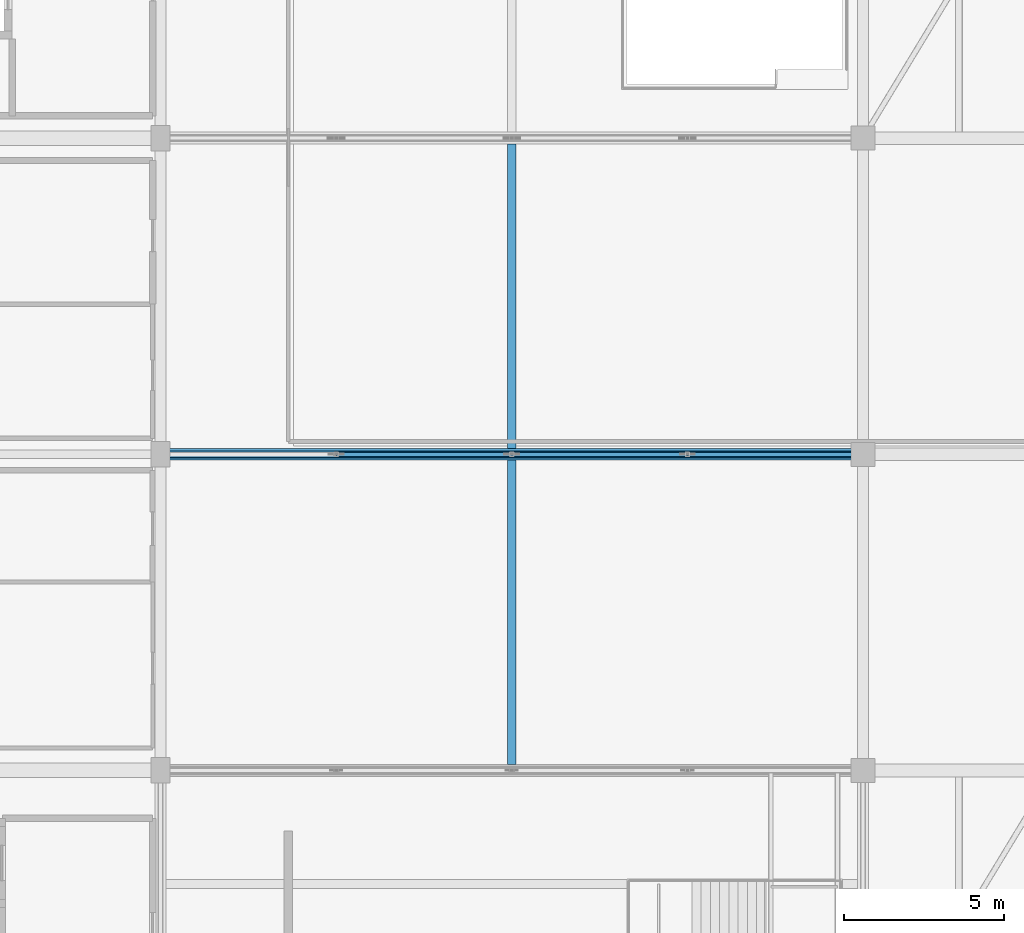
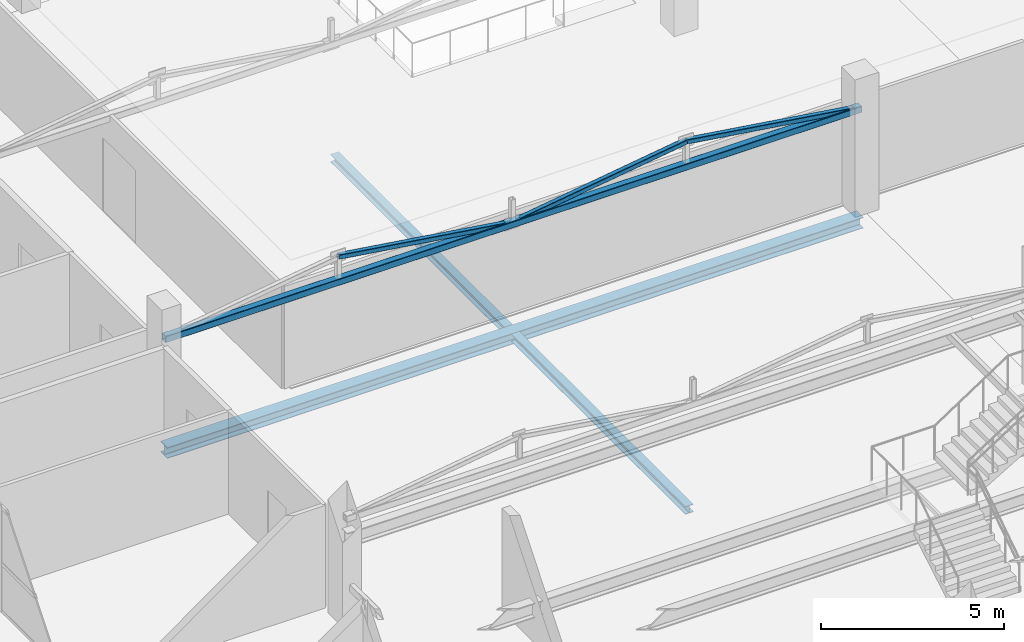
# One storey, part 21 of 55: 4 members, 3 beams.
"""IFC4 building model written with IfcOpenShell, lengths in metres."""

from ifc_helpers import new_model, si_unit, direction, frame, origin, origin_2d, place, context, subcontext, project, spatial, hollow_rectangle, i_section, extrude, material, material_profile, profile_set, type_object, element, save


model = new_model("IFC4")

# Units and contexts
model_context = context("Model", 3, precision=1e-05, world=origin(), true_north=direction((0.0, 1.0)))
body_context = subcontext(model_context, "Body", "Model", "MODEL_VIEW")
ifc_project = project(units=[si_unit("LENGTHUNIT", "METRE"), si_unit("AREAUNIT", "SQUARE_METRE"), si_unit("VOLUMEUNIT", "CUBIC_METRE"), si_unit("PLANEANGLEUNIT", "RADIAN"), si_unit("MASSUNIT", "GRAM", prefix="KILO")], contexts=[model_context])

# Site, building, storey
site_placement = place(None, origin())
site = spatial("IfcSite", under=ifc_project, at=site_placement, CompositionType="ELEMENT")
building_placement = place(site_placement, origin())
building = spatial("IfcBuilding", under=site, at=building_placement, Name="Sillaruma Civic Art Gallery", CompositionType="ELEMENT")
storey_placement = place(building_placement, frame((0.0, 0.0, 37.739990234375)))
storey = spatial("IfcBuildingStorey", under=building, at=storey_placement, Name="L07", CompositionType="ELEMENT", Elevation=37.739990234375)

# Beams
ifc_material_1 = material(Name="Structural Steel ASTM A992 Gr.50", Category="steel")
ifc_material_profile_1 = material_profile(ifc_material_1, i_section(OverallWidth=0.256103515625, OverallDepth=0.260009765625, WebThickness=0.0107421875, FlangeThickness=0.017333984375, FilletRadius=0.012939453125, at=origin_2d()), Name="W250x89")
ifc_profile_set_1 = profile_set([ifc_material_profile_1], Name="Structural Steel ASTM A992 Gr.50")
beam_type_1 = type_object("IfcBeamType", Name="BM-JOIST-W250x89", PredefinedType="JOIST", material=ifc_profile_set_1)
for number, where, z_axis, x_axis, name in (
    (1, (81.0, 49.685546875, -0.369873046875), (0.0, 1.0, 0.0), (-1.0, 0.0, 0.0), "Long-Span Gallery Joist JS-04 (L06:6-7)"),
    (2, (81.0, 59.58544921875, -0.369873046875), (0.0, 1.0, 0.0), (-1.0, 0.0, 0.0), "Long-Span Gallery Joist JS-04 (L06:7-8)"),
):
    element("IfcBeam", number, at=place(storey_placement, frame(where, z_axis=z_axis, x_axis=x_axis)), inside=storey, type_object=beam_type_1, Name=name, PredefinedType="JOIST", context=body_context, shape_type="SweptSolid", body=[
        extrude(i_section(OverallWidth=0.256103515625, OverallDepth=0.260009765625, WebThickness=0.0107421875, FlangeThickness=0.017333984375, FilletRadius=0.012939453125, at=origin_2d()), origin(), (0.0, 0.0, 1.0), 9.529052734375),
    ])
ifc_material_profile_2 = material_profile(ifc_material_1, i_section(OverallWidth=0.37109375, OverallDepth=0.364013671875, WebThickness=0.01318359375, FlangeThickness=0.021728515625, FilletRadius=0.014892578125, at=origin_2d()), Name="W360x162")
ifc_profile_set_2 = profile_set([ifc_material_profile_2], Name="Structural Steel ASTM A992 Gr.50")
beam_type_2 = type_object("IfcBeamType", Name="BM-TRTOP-W360x162", PredefinedType="BEAM", material=ifc_profile_set_2)
beam_placement = place(storey_placement, frame((70.0, 59.39990234375, -0.421875), z_axis=(1.0, 0.0, 0.0), x_axis=(0.0, 1.0, 0.0)))
element("IfcBeam", 3, at=beam_placement, inside=storey, type_object=beam_type_2, Name="Warren Truss Top Chord TR-L06-2", PredefinedType="BEAM", context=body_context, shape_type="SweptSolid", body=[
    extrude(i_section(OverallWidth=0.37109375, OverallDepth=0.364013671875, WebThickness=0.01318359375, FlangeThickness=0.021728515625, FilletRadius=0.014892578125, at=origin_2d()), origin(), (0.0, 0.0, 1.0), 22.0),
])

# Members
ifc_material_2 = material(Name="Structural Steel ASTM A500 Gr.C", Category="steel")
ifc_material_profile_3 = material_profile(ifc_material_2, hollow_rectangle(XDim=0.14990234375, YDim=0.14990234375, WallThickness=0.010009765625, InnerFilletRadius=0.010009765625, OuterFilletRadius=0.02001953125, at=origin_2d()), Name="HSS150x150x10")
ifc_profile_set_3 = profile_set([ifc_material_profile_3], Name="Structural Steel ASTM A500 Gr.C")
member_type_1 = type_object("IfcMemberType", Name="MEM-BRACE-HSS150x150x10", PredefinedType="BRACE", material=ifc_profile_set_3)
for number, where, z_axis, x_axis, name in (
    (4, (75.5, 59.39990234375, 4.1279296875), (0.989384036218, 0.0, -0.145324563914), (0.0, 1.0, 0.0), "Warren Truss Diagonal TR-L07-2-D2"),
    (5, (81.0, 59.39990234375, 3.320068359375), (0.989384036218, 0.0, 0.145324563914), (0.0, 1.0, 0.0), "Warren Truss Diagonal TR-L07-2-D3"),
    (6, (86.5, 59.39990234375, 4.1279296875), (0.989384036218, 0.0, -0.145324563914), (0.0, 1.0, 0.0), "Warren Truss Diagonal TR-L07-2-D4"),
):
    element("IfcMember", number, at=place(storey_placement, frame(where, z_axis=z_axis, x_axis=x_axis)), inside=storey, type_object=member_type_1, Name=name, PredefinedType="BRACE", context=body_context, shape_type="SweptSolid", body=[
        extrude(hollow_rectangle(XDim=0.14990234375, YDim=0.14990234375, WallThickness=0.010009765625, InnerFilletRadius=0.010009765625, OuterFilletRadius=0.02001953125, at=origin_2d()), origin(), (0.0, 0.0, 1.0), 5.55908203125),
    ])
ifc_material_profile_4 = material_profile(ifc_material_2, hollow_rectangle(XDim=0.219970703125, YDim=0.219970703125, WallThickness=0.012451171875, InnerFilletRadius=0.012451171875, OuterFilletRadius=0.02490234375, at=origin_2d()), Name="HSS220x220x12.5")
ifc_profile_set_4 = profile_set([ifc_material_profile_4], Name="Structural Steel ASTM A500 Gr.C")
member_type_2 = type_object("IfcMemberType", Name="MEM-CHORD-HSS220x220x12.5", PredefinedType="CHORD", material=ifc_profile_set_4)
member_placement = place(storey_placement, frame((70.0, 59.39990234375, 3.320068359375), z_axis=(1.0, 0.0, 0.0), x_axis=(0.0, 1.0, 0.0)))
element("IfcMember", 7, at=member_placement, inside=storey, type_object=member_type_2, Name="Warren Truss Bottom Chord TR-L07-2", PredefinedType="CHORD", context=body_context, shape_type="SweptSolid", body=[
    extrude(hollow_rectangle(XDim=0.219970703125, YDim=0.219970703125, WallThickness=0.012451171875, InnerFilletRadius=0.012451171875, OuterFilletRadius=0.02490234375, at=origin_2d()), origin(), (0.0, 0.0, 1.0), 22.0),
])

save(model, "model.ifc")
